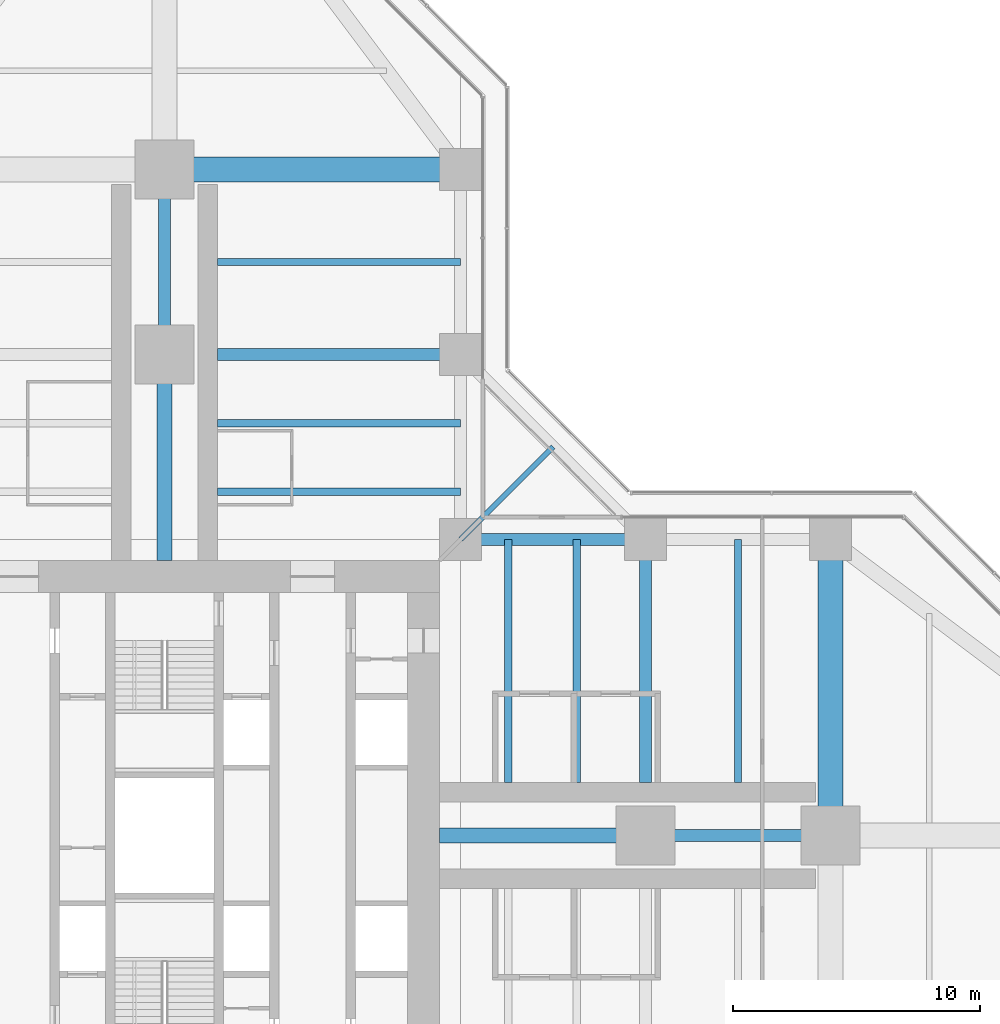
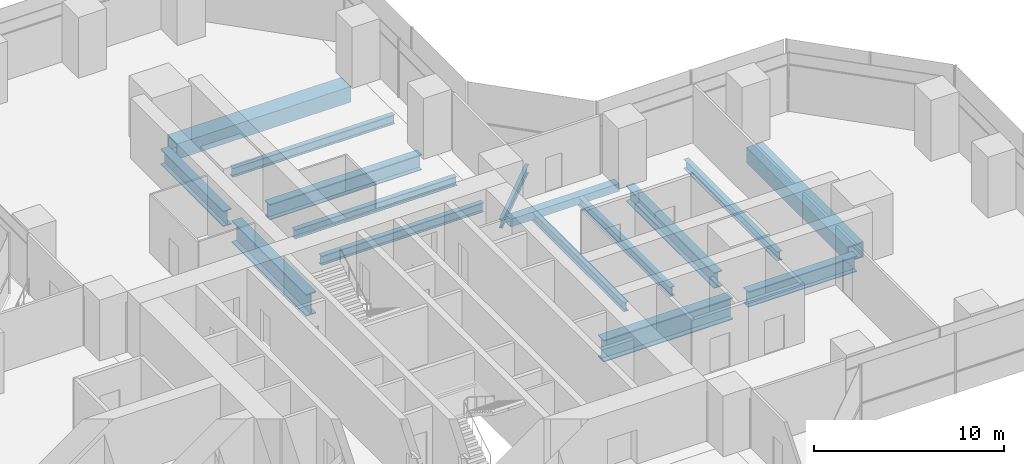
# One storey, part 10 of 22: 16 beams.
"""IFC4 building model written with IfcOpenShell, lengths in metres."""

from ifc_helpers import new_model, si_unit, direction, frame, origin, origin_2d, place, context, subcontext, project, spatial, hollow_rectangle, i_section, extrude, material, material_profile, profile_set, type_object, element, save


model = new_model("IFC4")

# Units and contexts
model_context = context("Model", 3, precision=1e-05, world=origin(), true_north=direction((0.0, 1.0)))
body_context = subcontext(model_context, "Body", "Model", "MODEL_VIEW")
ifc_project = project(units=[si_unit("LENGTHUNIT", "METRE"), si_unit("AREAUNIT", "SQUARE_METRE"), si_unit("VOLUMEUNIT", "CUBIC_METRE"), si_unit("PLANEANGLEUNIT", "RADIAN"), si_unit("MASSUNIT", "GRAM", prefix="KILO")], contexts=[model_context])

# Site, building, storey
site_placement = place(None, origin())
site = spatial("IfcSite", under=ifc_project, at=site_placement, CompositionType="ELEMENT")
building_placement = place(site_placement, origin())
building = spatial("IfcBuilding", under=site, at=building_placement, Name="Mizan Broadcast Tower", CompositionType="ELEMENT")
storey_placement = place(building_placement, frame((0.0, 0.0, 63.0)))
storey = spatial("IfcBuildingStorey", under=building, at=storey_placement, Name="L12", CompositionType="ELEMENT", Elevation=63.0)

# Beams
ifc_material_1 = material(Name="Steel S355", Category="steel")
ifc_material_profile_1 = material_profile(ifc_material_1, hollow_rectangle(XDim=0.5, YDim=0.5, WallThickness=0.030029296875, at=origin_2d()), Name="BOX 500x500x30")
ifc_profile_set_1 = profile_set([ifc_material_profile_1], Name="Steel S355")
beam_type_1 = type_object("IfcBeamType", Name="EDGE BEAM BOX 500x500x30", PredefinedType="SPANDREL", material=ifc_profile_set_1)
beam_1_placement = place(storey_placement, frame((12.449951171875, 12.0, -0.3798828125), z_axis=(1.0, 0.0, 0.0), x_axis=(0.0, 1.0, 0.0)))
element("IfcBeam", 1, at=beam_1_placement, inside=storey, type_object=beam_type_1, Name="Edge beam BOX 500x500x30 L12 east arm", PredefinedType="SPANDREL", context=body_context, shape_type="SweptSolid", body=[
    extrude(hollow_rectangle(XDim=0.5, YDim=0.5, WallThickness=0.030029296875, at=origin_2d()), origin(), (0.0, 0.0, 1.0), 6.60009765625),
])
ifc_material_2 = material(Name="Steel S460", Category="steel")
ifc_material_profile_2 = material_profile(ifc_material_2, hollow_rectangle(XDim=1.0, YDim=1.0, WallThickness=0.080078125, at=origin_2d()), Name="BOX 1000x1000x80")
ifc_profile_set_2 = profile_set([ifc_material_profile_2], Name="Steel S460")
beam_type_2 = type_object("IfcBeamType", Name="GIRDER BOX 1000x1000x80", PredefinedType="BEAM", material=ifc_profile_set_2)
for number, where, z_axis, x_axis, name in (
    (2, (27.0, 11.280029296875, -0.6298828125), (0.0, -1.0, 0.0), (1.0, 0.0, 0.0), "Girder BOX 1000x1000x80 L12 east arm"),
    (3, (11.280029296875, 27.0, -0.6298828125), (-1.0, 0.0, 0.0), (0.0, -1.0, 0.0), "Girder BOX 1000x1000x80 L12 north arm"),
):
    element("IfcBeam", number, at=place(storey_placement, frame(where, z_axis=z_axis, x_axis=x_axis)), inside=storey, type_object=beam_type_2, Name=name, PredefinedType="BEAM", context=body_context, shape_type="SweptSolid", body=[
        extrude(hollow_rectangle(XDim=1.0, YDim=1.0, WallThickness=0.080078125, at=origin_2d()), origin(), (0.0, 0.0, 1.0), 10.56005859375),
    ])
ifc_material_3 = material(Name="Steel S460", Category="steel")
ifc_material_profile_3 = material_profile(ifc_material_3, i_section(OverallWidth=0.5, OverallDepth=1.0, WebThickness=0.02490234375, FlangeThickness=0.050048828125, at=origin_2d()), Name="WPG 1000x500")
ifc_profile_set_3 = profile_set([ifc_material_profile_3], Name="Steel S460")
beam_type_3 = type_object("IfcBeamType", Name="GIRDER WPG 1000x500", PredefinedType="BEAM", material=ifc_profile_set_3)
beam_2_placement = place(storey_placement, frame((19.949951171875, 0.0, -0.6298828125), z_axis=(1.0, 0.0, 0.0), x_axis=(0.0, 1.0, 0.0)))
element("IfcBeam", 4, at=beam_2_placement, inside=storey, type_object=beam_type_3, Name="Girder WPG 1000x500 L12 east arm", PredefinedType="BEAM", context=body_context, shape_type="SweptSolid", body=[
    extrude(i_section(OverallWidth=0.5, OverallDepth=1.0, WebThickness=0.02490234375, FlangeThickness=0.050048828125, at=origin_2d()), origin(), (0.0, 0.0, 1.0), 6.60009765625),
])
beam_3_placement = place(storey_placement, frame((19.5, 11.408935546875, -0.6298828125), z_axis=(0.0, -1.0, 0.0), x_axis=(1.0, 0.0, 0.0)))
element("IfcBeam", 5, at=beam_3_placement, inside=storey, type_object=beam_type_3, Name="Girder WPG 1000x500 L12 east arm", PredefinedType="BEAM", context=body_context, shape_type="SweptSolid", body=[
    extrude(i_section(OverallWidth=0.5, OverallDepth=1.0, WebThickness=0.02490234375, FlangeThickness=0.050048828125, at=origin_2d()), origin(), (0.0, 0.0, 1.0), 9.259033203125),
])
beam_4_placement = place(storey_placement, frame((0.0, 19.949951171875, -0.6298828125), z_axis=(0.0, 1.0, 0.0), x_axis=(-1.0, 0.0, 0.0)))
element("IfcBeam", 6, at=beam_4_placement, inside=storey, type_object=beam_type_3, Name="Girder WPG 1000x500 L12 north arm", PredefinedType="BEAM", context=body_context, shape_type="SweptSolid", body=[
    extrude(i_section(OverallWidth=0.5, OverallDepth=1.0, WebThickness=0.02490234375, FlangeThickness=0.050048828125, at=origin_2d()), origin(), (0.0, 0.0, 1.0), 6.60009765625),
])
beam_5_placement = place(storey_placement, frame((11.408935546875, 19.5, -0.6298828125), z_axis=(-1.0, 0.0, 0.0), x_axis=(0.0, -1.0, 0.0)))
element("IfcBeam", 7, at=beam_5_placement, inside=storey, type_object=beam_type_3, Name="Girder WPG 1000x500 L12 north arm", PredefinedType="BEAM", context=body_context, shape_type="SweptSolid", body=[
    extrude(i_section(OverallWidth=0.5, OverallDepth=1.0, WebThickness=0.02490234375, FlangeThickness=0.050048828125, at=origin_2d()), origin(), (0.0, 0.0, 1.0), 9.259033203125),
])
ifc_material_4 = material(Name="Steel S460", Category="steel")
ifc_material_profile_4 = material_profile(ifc_material_4, i_section(OverallWidth=0.60009765625, OverallDepth=1.39990234375, WebThickness=0.02490234375, FlangeThickness=0.06005859375, at=origin_2d()), Name="WPG 1400x600")
ifc_profile_set_4 = profile_set([ifc_material_profile_4], Name="Steel S460")
beam_type_4 = type_object("IfcBeamType", Name="GIRDER WPG 1400x600", PredefinedType="BEAM", material=ifc_profile_set_4)
for number, where, z_axis, x_axis, name in (
    (8, (11.14990234375, 0.0, -0.830078125), (1.0, 0.0, 0.0), (0.0, 1.0, 0.0), "Girder WPG 1400x600 L12 east arm"),
    (9, (0.0, 11.14990234375, -0.830078125), (0.0, 1.0, 0.0), (-1.0, 0.0, 0.0), "Girder WPG 1400x600 L12 north arm"),
):
    element("IfcBeam", number, at=place(storey_placement, frame(where, z_axis=z_axis, x_axis=x_axis)), inside=storey, type_object=beam_type_4, Name=name, PredefinedType="BEAM", context=body_context, shape_type="SweptSolid", body=[
        extrude(i_section(OverallWidth=0.60009765625, OverallDepth=1.39990234375, WebThickness=0.02490234375, FlangeThickness=0.06005859375, at=origin_2d()), origin(), (0.0, 0.0, 1.0), 7.84912109375),
    ])
ifc_material_5 = material(Name="Steel S355", Category="steel")
ifc_material_profile_5 = material_profile(ifc_material_5, i_section(OverallWidth=0.300048828125, OverallDepth=0.590087890625, WebThickness=0.012939453125, FlangeThickness=0.02490234375, FilletRadius=0.027099609375, at=origin_2d()), Name="HEA 600")
ifc_profile_set_5 = profile_set([ifc_material_profile_5], Name="Steel S355")
beam_type_5 = type_object("IfcBeamType", Name="SECONDARY BEAM HEA 600", PredefinedType="JOIST", material=ifc_profile_set_5)
for number, where, z_axis, x_axis, name in (
    (10, (13.933349609375, 12.0, -0.425048828125), (0.0, -1.0, 0.0), (1.0, 0.0, 0.0), "Secondary beam HEA 600 L12 east arm"),
    (11, (16.716552734375, 12.0, -0.425048828125), (0.0, -1.0, 0.0), (1.0, 0.0, 0.0), "Secondary beam HEA 600 L12 east arm"),
    (12, (23.25, 12.0, -0.425048828125), (0.0, -1.0, 0.0), (1.0, 0.0, 0.0), "Secondary beam HEA 600 L12 east arm"),
    (13, (12.0, 13.933349609375, -0.425048828125), (-1.0, 0.0, 0.0), (0.0, -1.0, 0.0), "Secondary beam HEA 600 L12 north arm"),
    (14, (12.0, 16.716552734375, -0.425048828125), (-1.0, 0.0, 0.0), (0.0, -1.0, 0.0), "Secondary beam HEA 600 L12 north arm"),
    (15, (12.0, 23.25, -0.425048828125), (-1.0, 0.0, 0.0), (0.0, -1.0, 0.0), "Secondary beam HEA 600 L12 north arm"),
):
    element("IfcBeam", number, at=place(storey_placement, frame(where, z_axis=z_axis, x_axis=x_axis)), inside=storey, type_object=beam_type_5, Name=name, PredefinedType="JOIST", context=body_context, shape_type="SweptSolid", body=[
        extrude(i_section(OverallWidth=0.300048828125, OverallDepth=0.590087890625, WebThickness=0.012939453125, FlangeThickness=0.02490234375, FilletRadius=0.027099609375, at=origin_2d()), origin(), (0.0, 0.0, 1.0), 9.85009765625),
    ])
ifc_material_6 = material(Name="Steel S355", Category="steel")
ifc_material_profile_6 = material_profile(ifc_material_6, i_section(OverallWidth=0.2099609375, OverallDepth=0.550048828125, WebThickness=0.010986328125, FlangeThickness=0.01708984375, FilletRadius=0.02392578125, at=origin_2d()), Name="IPE 550")
ifc_profile_set_6 = profile_set([ifc_material_profile_6], Name="Steel S355")
beam_type_6 = type_object("IfcBeamType", Name="SECONDARY BEAM IPE 550", PredefinedType="JOIST", material=ifc_profile_set_6)
beam_6_placement = place(storey_placement, frame((12.0, 12.0, -0.405029296875), z_axis=(0.707106781187, 0.707106781187, 0.0), x_axis=(-0.707106781187, 0.707106781187, 0.0)))
element("IfcBeam", 16, at=beam_6_placement, inside=storey, type_object=beam_type_6, Name="Winter garden beam L12 E", PredefinedType="JOIST", context=body_context, shape_type="SweptSolid", body=[
    extrude(i_section(OverallWidth=0.2099609375, OverallDepth=0.550048828125, WebThickness=0.010986328125, FlangeThickness=0.01708984375, FilletRadius=0.02392578125, at=origin_2d()), origin(), (0.0, 0.0, 1.0), 5.30322265625),
])

save(model, "model.ifc")
